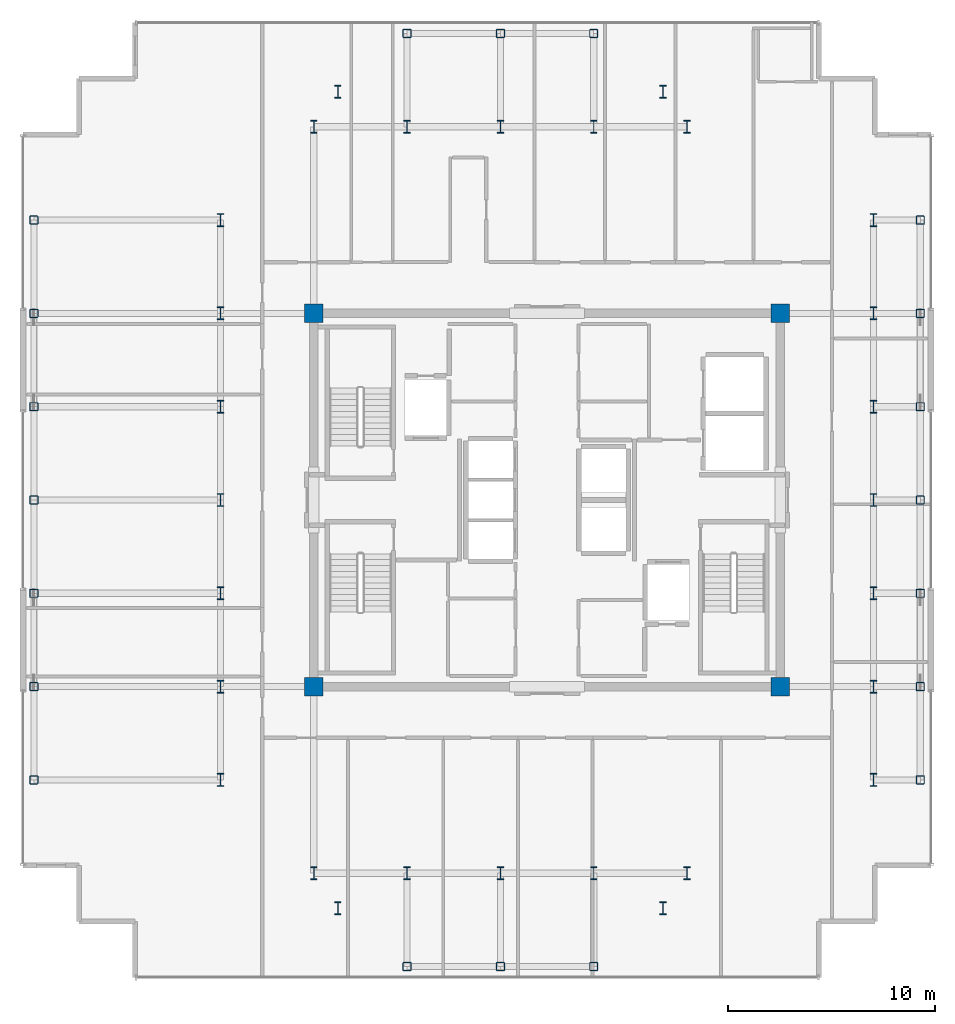
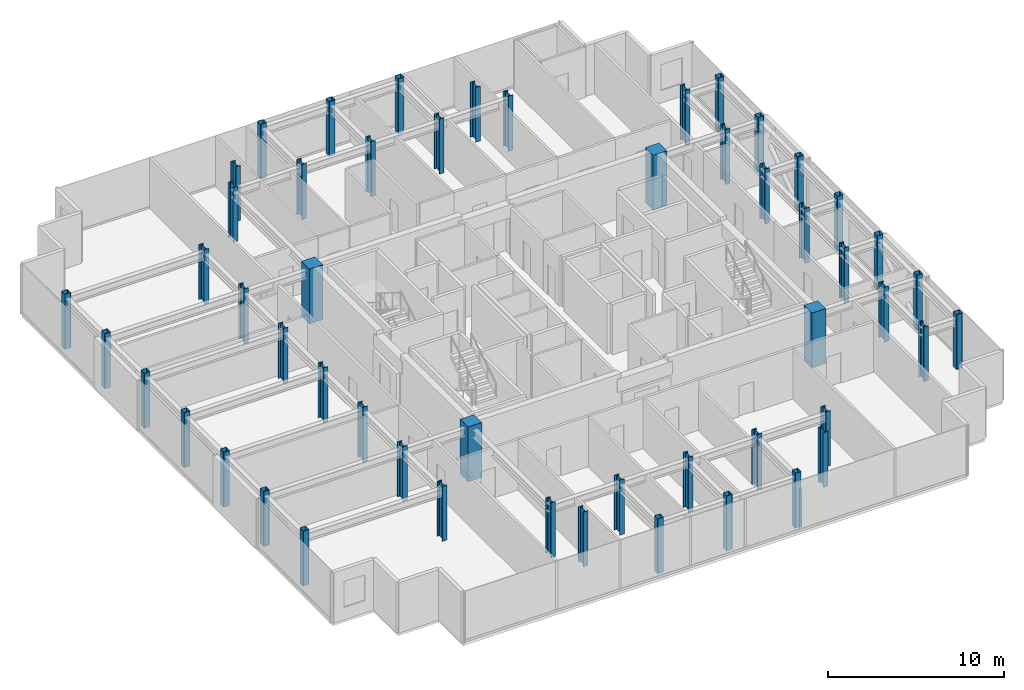
# One storey, part 1 of 16: 52 columns.
"""IFC4 building model written with IfcOpenShell, lengths in metres."""

import ifcopenshell
import ifcopenshell.guid

model = None  # the IFC model being written
_history = None  # IfcOwnerHistory: only IFC2X3 demands one
_inside = {}  # id of a spatial element -> (the spatial element, [elements in it])
_under = {}  # id of a project, library or spatial element -> (it, [spatial elements below it])
_declared = {}  # id of a project -> (the project, [libraries it declares])
_typed = {}  # id of a type object -> (the type object, [elements of that type])
_made_of = {}  # id of a material, layer set ... -> (it, [elements and type objects made of it])


def new_model(schema):
    """Start an empty IFC model of exactly this schema.

    Asked for "IFC4X3", IfcOpenShell would pick the latest addendum, in which some entities
    have other attributes; the version numbers below select the first issue.
    IFC2X3 requires an IfcOwnerHistory on every rooted entity: one is made here for all.
    """
    global model, _history
    if schema == "IFC4X3":
        model = ifcopenshell.file(schema_version=(4, 3, 0, 0))
    else:
        model = ifcopenshell.file(schema=schema)
    _inside.clear()
    _under.clear()
    _declared.clear()
    _typed.clear()
    _made_of.clear()
    _history = None
    if model.schema == "IFC2X3":
        org = make("IfcOrganization", Name="unknown")
        user = make(
            "IfcPersonAndOrganization",
            ThePerson=make("IfcPerson", FamilyName="unknown"),
            TheOrganization=org,
        )
        app = make(
            "IfcApplication",
            ApplicationDeveloper=org,
            Version="unknown",
            ApplicationFullName="unknown",
            ApplicationIdentifier="unknown",
        )
        _history = make(
            "IfcOwnerHistory",
            OwningUser=user,
            OwningApplication=app,
            ChangeAction="ADDED",
            CreationDate=0,
        )
    return model


def make(cls, **values):
    """One entity of the class cls with the attributes given. An attribute that is None is left unset."""
    return model.create_entity(
        cls, **{name: value for name, value in values.items() if value is not None}
    )


def rooted(cls, **values):
    """An entity with a GlobalId (a new one), such as an element, a storey or a relation."""
    return make(cls, GlobalId=ifcopenshell.guid.new(), OwnerHistory=_history, **values)


def si_unit(unit_type, name, prefix=None):
    """IfcSIUnit, for example si_unit("LENGTHUNIT", "METRE", prefix="MILLI")."""
    return make("IfcSIUnit", UnitType=unit_type, Prefix=prefix, Name=name)


def assignment(units):
    """IfcUnitAssignment: the units of a project."""
    return None if units is None else make("IfcUnitAssignment", Units=units)


def point(xyz):
    """IfcCartesianPoint."""
    return None if xyz is None else make("IfcCartesianPoint", Coordinates=xyz)


def direction(xyz):
    """IfcDirection."""
    return None if xyz is None else make("IfcDirection", DirectionRatios=xyz)


def frame(location, z_axis=None, x_axis=None):
    """IfcAxis2Placement3D, a coordinate frame: its origin and axes. An axis left out is left unset."""
    return make(
        "IfcAxis2Placement3D",
        Location=point(location),
        Axis=direction(z_axis),
        RefDirection=direction(x_axis),
    )


def frame_2d(location, x_axis=None):
    """IfcAxis2Placement2D, a coordinate frame in the plane: its origin and x axis."""
    return make(
        "IfcAxis2Placement2D", Location=point(location), RefDirection=direction(x_axis)
    )


def origin():
    """The frame at (0, 0, 0) with its axes left unset."""
    return frame((0.0, 0.0, 0.0))


def origin_2d():
    """The frame at (0, 0) in the plane with its x axis left unset."""
    return frame_2d((0.0, 0.0))


def place(relative_to, where):
    """IfcLocalPlacement: puts the frame where relative to a parent placement (None: the world)."""
    return make(
        "IfcLocalPlacement", PlacementRelTo=relative_to, RelativePlacement=where
    )


def context(
    kind, dimensions, precision=None, world=None, true_north=None, identifier=None
):
    """IfcGeometricRepresentationContext, for example the 3D "Model" context."""
    return make(
        "IfcGeometricRepresentationContext",
        ContextIdentifier=identifier,
        ContextType=kind,
        CoordinateSpaceDimension=dimensions,
        Precision=precision,
        WorldCoordinateSystem=world,
        TrueNorth=true_north,
    )


def subcontext(parent, identifier, kind, view, scale=None):
    """IfcGeometricRepresentationSubContext, for example "Body" below "Model"."""
    return make(
        "IfcGeometricRepresentationSubContext",
        ContextIdentifier=identifier,
        ContextType=kind,
        ParentContext=parent,
        TargetScale=scale,
        TargetView=view,
    )


def project(units=None, contexts=None):
    """IfcProject with its units and contexts."""
    return rooted(
        "IfcProject",
        Name="project",
        RepresentationContexts=contexts,
        UnitsInContext=assignment(units),
    )


def spatial(cls, under=None, at=None, **own):
    """A site, building, storey or space (cls), placed at a placement, below another one or the project."""
    s = rooted(cls, ObjectPlacement=at, **own)
    if under is not None:
        _under.setdefault(under.id(), (under, []))[1].append(s)
    return s


def profile(cls, at=None, kind="AREA", **sizes):
    """A parametric profile (cls). Its sizes go by their IFC names, for example OverallWidth=200.0."""
    return make(cls, ProfileType=kind, Position=at, **sizes)


def rectangle(**sizes):
    """IfcRectangleProfileDef."""
    return profile("IfcRectangleProfileDef", **sizes)


def hollow_rectangle(**sizes):
    """IfcRectangleHollowProfileDef."""
    return profile("IfcRectangleHollowProfileDef", **sizes)


def i_section(**sizes):
    """IfcIShapeProfileDef."""
    return profile("IfcIShapeProfileDef", **sizes)


def extrude(swept, where, along, depth):
    """IfcExtrudedAreaSolid: the profile swept, set in the frame where, extruded along a direction by depth."""
    return make(
        "IfcExtrudedAreaSolid",
        SweptArea=swept,
        Position=where,
        ExtrudedDirection=direction(along),
        Depth=depth,
    )


def shape(context_of_items, identifier, shape_type, items):
    """IfcShapeRepresentation: the items that make up one representation, for example the "Body"."""
    return make(
        "IfcShapeRepresentation",
        ContextOfItems=context_of_items,
        RepresentationIdentifier=identifier,
        RepresentationType=shape_type,
        Items=items,
    )


def source(mapping_origin, context_of_items, identifier, shape_type, items):
    """IfcRepresentationMap: a shape defined once, which mapped items show again and again."""
    return make(
        "IfcRepresentationMap",
        MappingOrigin=mapping_origin,
        MappedRepresentation=shape(context_of_items, identifier, shape_type, items),
    )


def transform(
    local_origin,
    x_axis=None,
    y_axis=None,
    z_axis=None,
    scale=None,
    scale2=None,
    scale3=None,
    uniform=True,
):
    """IfcCartesianTransformationOperator3D, or its non-uniform kind. x_axis, y_axis, z_axis: its Axis1, 2, 3."""
    if uniform:
        return make(
            "IfcCartesianTransformationOperator3D",
            Axis1=direction(x_axis),
            Axis2=direction(y_axis),
            LocalOrigin=point(local_origin),
            Scale=scale,
            Axis3=direction(z_axis),
        )
    return make(
        "IfcCartesianTransformationOperator3DnonUniform",
        Axis1=direction(x_axis),
        Axis2=direction(y_axis),
        LocalOrigin=point(local_origin),
        Scale=scale,
        Axis3=direction(z_axis),
        Scale2=scale2,
        Scale3=scale3,
    )


def mapped(mapping_source, mapping_target):
    """IfcMappedItem: shows the shape of a source again, moved by a transform."""
    return make(
        "IfcMappedItem", MappingSource=mapping_source, MappingTarget=mapping_target
    )


def material(Name=None, Category=None):
    """IfcMaterial."""
    return make("IfcMaterial", Name=Name, Category=Category)


def material_profile(
    of_material, cross_section, Name=None, Category=None, Priority=None
):
    """IfcMaterialProfile: a cross section and its material."""
    return make(
        "IfcMaterialProfile",
        Name=Name,
        Material=of_material,
        Profile=cross_section,
        Priority=Priority,
        Category=Category,
    )


def profile_set(profiles, Name=None, composite=None):
    """IfcMaterialProfileSet."""
    return make(
        "IfcMaterialProfileSet",
        Name=Name,
        MaterialProfiles=profiles,
        CompositeProfile=composite,
    )


def made_of(thing, what):
    """Note that an element or type object is made of a material, layer set ...; save() writes the relation."""
    if what is not None:
        _made_of.setdefault(what.id(), (what, []))[1].append(thing)
    return thing


def type_object(cls, material=None, **own):
    """A type object (cls), such as IfcWallType, which elements share."""
    return made_of(rooted(cls, **own), material)


def element(
    cls,
    number,
    at=None,
    inside=None,
    cuts=None,
    type_object=None,
    material=None,
    context=None,
    identifier="Body",
    shape_type=None,
    held_by="IfcProductDefinitionShape",
    body=None,
    shapes=None,
    **own,
):
    """One element of the class cls, such as IfcWall. Its Tag is "e" and its number.

    at: its placement. inside: the storey or other place that contains it. cuts: it is an
    opening in that element (IfcRelVoidsElement). A single representation is given by context,
    identifier, shape_type and body (its items); several are given by shapes. held_by: the class
    of the entity that holds the representations. save() writes the other relations.
    """
    e = rooted(cls, Tag="e%d" % number, ObjectPlacement=at, **own)
    if body is not None:
        shapes = [shape(context, identifier, shape_type, body)]
    if shapes is not None:
        e.Representation = make(held_by, Representations=shapes)
    if inside is not None:
        _inside.setdefault(inside.id(), (inside, []))[1].append(e)
    if cuts is not None:
        rooted(
            "IfcRelVoidsElement", RelatingBuildingElement=cuts, RelatedOpeningElement=e
        )
    if type_object is not None:
        _typed.setdefault(type_object.id(), (type_object, []))[1].append(e)
    return made_of(e, material)


def aggregate(whole, parts):
    """IfcRelAggregates: a whole, such as a stair, and the parts it consists of."""
    return rooted("IfcRelAggregates", RelatingObject=whole, RelatedObjects=parts)


def save(model, path):
    """Write the relations noted so far, then the file.

    IfcRelAggregates (storeys below a building ...), IfcRelContainedInSpatialStructure (elements
    in a storey), IfcRelDefinesByType, IfcRelAssociatesMaterial and IfcRelDeclares: one each for
    every whole, place, type object, material and project.
    """
    for whole, parts in _under.values():
        aggregate(whole, parts)
    for where, things in _inside.values():
        rooted(
            "IfcRelContainedInSpatialStructure",
            RelatedElements=things,
            RelatingStructure=where,
        )
    for kind, things in _typed.values():
        rooted("IfcRelDefinesByType", RelatedObjects=things, RelatingType=kind)
    for what, things in _made_of.values():
        rooted("IfcRelAssociatesMaterial", RelatedObjects=things, RelatingMaterial=what)
    for by, libraries in _declared.values():
        rooted("IfcRelDeclares", RelatingContext=by, RelatedDefinitions=libraries)
    model.write(path)


model = new_model("IFC4")

# Units and contexts
model_context = context("Model", 3, precision=1e-05, world=origin(), true_north=direction((0.0, 1.0)))
body_context = subcontext(model_context, "Body", "Model", "MODEL_VIEW")
ifc_project = project(units=[si_unit("LENGTHUNIT", "METRE"), si_unit("AREAUNIT", "SQUARE_METRE"), si_unit("VOLUMEUNIT", "CUBIC_METRE"), si_unit("PLANEANGLEUNIT", "RADIAN"), si_unit("MASSUNIT", "GRAM", prefix="KILO")], contexts=[model_context])

# Site, building, storey
site_placement = place(None, origin())
site = spatial("IfcSite", under=ifc_project, at=site_placement, CompositionType="ELEMENT")
building_placement = place(site_placement, origin())
building = spatial("IfcBuilding", under=site, at=building_placement, Name="Nefas-Gora Pilgrimage Tower", CompositionType="ELEMENT")
storey_placement = place(building_placement, frame((0.0, 0.0, 345.199951171875)))
storey = spatial("IfcBuildingStorey", under=building, at=storey_placement, Name="L87", CompositionType="ELEMENT", Elevation=345.199951171875)

# Columns
ifc_material_1 = material(Name="Steel S355", Category="steel")
ifc_material_profile_1 = material_profile(ifc_material_1, i_section(OverallWidth=0.304931640625, OverallDepth=0.6201171875, WebThickness=0.02099609375, FlangeThickness=0.0400390625, FilletRadius=0.027099609375, at=origin_2d()), Name="HEM 600")
ifc_profile_set_1 = profile_set([ifc_material_profile_1], Name="Steel S355")
column_type_1 = type_object("IfcColumnType", Name="COL-WEB-HEM600", PredefinedType="COLUMN", material=ifc_profile_set_1)
shared_shape_1 = source(origin(), body_context, "Body", "SweptSolid", [
    extrude(i_section(OverallWidth=0.304931640625, OverallDepth=0.6201171875, WebThickness=0.02099609375, FlangeThickness=0.0400390625, FilletRadius=0.027099609375, at=origin_2d()), origin(), (0.0, 0.0, 1.0), 3.800048828125),
])
for number, where, z_axis, x_axis, name in (
    (1, (-15.75, -13.5, 0.0), (0.0, 0.0, 1.0), (1.0, 0.0, 0.0), "L87 Tower Column CW-03.8"),
    (2, (-15.75, -9.0, 0.0), (0.0, 0.0, 1.0), (1.0, 0.0, 0.0), "L87 Tower Column CW-03.9"),
    (3, (-15.75, -4.5, 0.0), (0.0, 0.0, 1.0), (1.0, 0.0, 0.0), "L87 Tower Column CW-03.10"),
    (4, (-15.75, 0.0, 0.0), (0.0, 0.0, 1.0), (1.0, 0.0, 0.0), "L87 Tower Column CW-03.11"),
    (5, (-15.75, 4.5, 0.0), (0.0, 0.0, 1.0), (1.0, 0.0, 0.0), "L87 Tower Column CW-03.12"),
    (6, (-15.75, 9.0, 0.0), (0.0, 0.0, 1.0), (1.0, 0.0, 0.0), "L87 Tower Column CW-03.13"),
    (7, (-15.75, 13.5, 0.0), (0.0, 0.0, 1.0), (1.0, 0.0, 0.0), "L87 Tower Column CW-03.14"),
    (8, (-11.25, -18.0, 0.0), (0.0, 0.0, 1.0), (1.0, 0.0, 0.0), "L87 Tower Column CW-03.15"),
    (9, (-11.25, 18.0, 0.0), (0.0, 0.0, 1.0), (1.0, 0.0, 0.0), "L87 Tower Column CW-03.18"),
    (10, (-10.091064453125, -19.696044921875, 0.0), (0.0, 0.0, 1.0), (1.0, 0.0, 0.0), "L87 Tower Column CW-03.19"),
    (11, (-10.091064453125, 19.696044921875, 0.0), (0.0, 0.0, 1.0), (1.0, 0.0, 0.0), "L87 Tower Column CW-03.20"),
    (12, (-6.75, -18.0, 0.0), (0.0, 0.0, 1.0), (1.0, 0.0, 0.0), "L87 Tower Column CW-03.22"),
    (13, (-6.75, 18.0, 0.0), (0.0, 0.0, 1.0), (1.0, 0.0, 0.0), "L87 Tower Column CW-03.23"),
    (14, (-2.25, -18.0, 0.0), (0.0, 0.0, 1.0), (1.0, 0.0, 0.0), "L87 Tower Column CW-03.26"),
    (15, (-2.25, 18.0, 0.0), (0.0, 0.0, 1.0), (1.0, 0.0, 0.0), "L87 Tower Column CW-03.27"),
    (16, (2.25, -18.0, 0.0), (0.0, 0.0, 1.0), (1.0, 0.0, 0.0), "L87 Tower Column CW-03.30"),
    (17, (2.25, 18.0, 0.0), (0.0, 0.0, 1.0), (1.0, 0.0, 0.0), "L87 Tower Column CW-03.31"),
    (18, (5.591064453125, -19.696044921875, 0.0), (0.0, 0.0, 1.0), (1.0, 0.0, 0.0), "L87 Tower Column CW-03.33"),
    (19, (5.591064453125, 19.696044921875, 0.0), (0.0, 0.0, 1.0), (1.0, 0.0, 0.0), "L87 Tower Column CW-03.34"),
    (20, (6.75, -18.0, 0.0), (0.0, 0.0, 1.0), (1.0, 0.0, 0.0), "L87 Tower Column CW-03.35"),
    (21, (6.75, 18.0, 0.0), (0.0, 0.0, 1.0), (1.0, 0.0, 0.0), "L87 Tower Column CW-03.36"),
    (22, (15.75, -13.5, 0.0), (0.0, 0.0, 1.0), (1.0, 0.0, 0.0), "L87 Tower Column CW-03.39"),
    (23, (15.75, -9.0, 0.0), (0.0, 0.0, 1.0), (1.0, 0.0, 0.0), "L87 Tower Column CW-03.40"),
    (24, (15.75, -4.5, 0.0), (0.0, 0.0, 1.0), (1.0, 0.0, 0.0), "L87 Tower Column CW-03.41"),
    (25, (15.75, 0.0, 0.0), (0.0, 0.0, 1.0), (1.0, 0.0, 0.0), "L87 Tower Column CW-03.42"),
    (26, (15.75, 4.5, 0.0), (0.0, 0.0, 1.0), (1.0, 0.0, 0.0), "L87 Tower Column CW-03.43"),
    (27, (15.75, 9.0, 0.0), (0.0, 0.0, 1.0), (1.0, 0.0, 0.0), "L87 Tower Column CW-03.44"),
    (28, (15.75, 13.5, 0.0), (0.0, 0.0, 1.0), (1.0, 0.0, 0.0), "L87 Tower Column CW-03.45"),
):
    element("IfcColumn", number, at=place(storey_placement, frame(where, z_axis=z_axis, x_axis=x_axis)), inside=storey, type_object=column_type_1, Name=name, PredefinedType="COLUMN", context=body_context, shape_type="MappedRepresentation", body=[
        mapped(shared_shape_1, transform((0.0, 0.0, 0.0), x_axis=(1.0, 0.0, 0.0), y_axis=(0.0, 1.0, 0.0), z_axis=(0.0, 0.0, 1.0), scale=1.0)),
    ])
ifc_material_2 = material(Name="Concrete C50/60", Category="concrete")
ifc_material_profile_2 = material_profile(ifc_material_2, rectangle(XDim=0.89990234375, YDim=0.89990234375, at=origin_2d()), Name="RC 900x900")
ifc_profile_set_2 = profile_set([ifc_material_profile_2], Name="Concrete C50/60")
column_type_2 = type_object("IfcColumnType", Name="COL-RC-900", PredefinedType="COLUMN", material=ifc_profile_set_2)
shared_shape_2 = source(origin(), body_context, "Body", "SweptSolid", [
    extrude(rectangle(XDim=0.89990234375, YDim=0.89990234375, at=origin_2d()), origin(), (0.0, 0.0, 1.0), 3.800048828125),
])
for number, where, z_axis, x_axis, name in (
    (29, (-11.25, -9.0, 0.0), (0.0, 0.0, 1.0), (1.0, 0.0, 0.0), "L87 Tower Column CRC-02.16"),
    (30, (-11.25, 9.0, 0.0), (0.0, 0.0, 1.0), (1.0, 0.0, 0.0), "L87 Tower Column CRC-02.17"),
    (31, (11.25, -9.0, 0.0), (0.0, 0.0, 1.0), (1.0, 0.0, 0.0), "L87 Tower Column CRC-02.37"),
    (32, (11.25, 9.0, 0.0), (0.0, 0.0, 1.0), (1.0, 0.0, 0.0), "L87 Tower Column CRC-02.38"),
):
    element("IfcColumn", number, at=place(storey_placement, frame(where, z_axis=z_axis, x_axis=x_axis)), inside=storey, type_object=column_type_2, Name=name, PredefinedType="COLUMN", context=body_context, shape_type="MappedRepresentation", body=[
        mapped(shared_shape_2, transform((0.0, 0.0, 0.0), x_axis=(1.0, 0.0, 0.0), y_axis=(0.0, 1.0, 0.0), z_axis=(0.0, 0.0, 1.0), scale=1.0)),
    ])
ifc_material_profile_3 = material_profile(ifc_material_1, hollow_rectangle(XDim=0.39990234375, YDim=0.39990234375, WallThickness=0.02001953125, InnerFilletRadius=0.02001953125, OuterFilletRadius=0.0400390625, at=origin_2d()), Name="SHS 400x400x20")
ifc_profile_set_3 = profile_set([ifc_material_profile_3], Name="Steel S355")
column_type_3 = type_object("IfcColumnType", Name="COL-TUBE-400", PredefinedType="COLUMN", material=ifc_profile_set_3)
shared_shape_3 = source(origin(), body_context, "Body", "SweptSolid", [
    extrude(hollow_rectangle(XDim=0.39990234375, YDim=0.39990234375, WallThickness=0.02001953125, InnerFilletRadius=0.02001953125, OuterFilletRadius=0.0400390625, at=origin_2d()), origin(), (0.0, 0.0, 1.0), 3.800048828125),
])
for number, where, z_axis, x_axis, name in (
    (33, (-24.75, -13.5, 0.0), (0.0, 0.0, 1.0), (1.0, 0.0, 0.0), "L87 Tower Column C-Z5.1"),
    (34, (-24.75, -9.0, 0.0), (0.0, 0.0, 1.0), (1.0, 0.0, 0.0), "L87 Tower Column C-Z5.2"),
    (35, (-24.75, -4.5, 0.0), (0.0, 0.0, 1.0), (1.0, 0.0, 0.0), "L87 Tower Column C-Z5.3"),
    (36, (-24.75, 0.0, 0.0), (0.0, 0.0, 1.0), (1.0, 0.0, 0.0), "L87 Tower Column C-Z5.4"),
    (37, (-24.75, 4.5, 0.0), (0.0, 0.0, 1.0), (1.0, 0.0, 0.0), "L87 Tower Column C-Z5.5"),
    (38, (-24.75, 9.0, 0.0), (0.0, 0.0, 1.0), (1.0, 0.0, 0.0), "L87 Tower Column C-Z5.6"),
    (39, (-24.75, 13.5, 0.0), (0.0, 0.0, 1.0), (1.0, 0.0, 0.0), "L87 Tower Column C-Z5.7"),
    (40, (-6.75, -22.5, 0.0), (0.0, 0.0, 1.0), (1.0, 0.0, 0.0), "L87 Tower Column C-Z5.21"),
    (41, (-6.75, 22.5, 0.0), (0.0, 0.0, 1.0), (1.0, 0.0, 0.0), "L87 Tower Column C-Z5.24"),
    (42, (-2.25, -22.5, 0.0), (0.0, 0.0, 1.0), (1.0, 0.0, 0.0), "L87 Tower Column C-Z5.25"),
    (43, (-2.25, 22.5, 0.0), (0.0, 0.0, 1.0), (1.0, 0.0, 0.0), "L87 Tower Column C-Z5.28"),
    (44, (2.25, -22.5, 0.0), (0.0, 0.0, 1.0), (1.0, 0.0, 0.0), "L87 Tower Column C-Z5.29"),
    (45, (2.25, 22.5, 0.0), (0.0, 0.0, 1.0), (1.0, 0.0, 0.0), "L87 Tower Column C-Z5.32"),
    (46, (18.0, -13.5, 0.0), (0.0, 0.0, 1.0), (1.0, 0.0, 0.0), "L87 Tower Column C-Z5.46"),
    (47, (18.0, -9.0, 0.0), (0.0, 0.0, 1.0), (1.0, 0.0, 0.0), "L87 Tower Column C-Z5.47"),
    (48, (18.0, -4.5, 0.0), (0.0, 0.0, 1.0), (1.0, 0.0, 0.0), "L87 Tower Column C-Z5.48"),
    (49, (18.0, 0.0, 0.0), (0.0, 0.0, 1.0), (1.0, 0.0, 0.0), "L87 Tower Column C-Z5.49"),
    (50, (18.0, 4.5, 0.0), (0.0, 0.0, 1.0), (1.0, 0.0, 0.0), "L87 Tower Column C-Z5.50"),
    (51, (18.0, 9.0, 0.0), (0.0, 0.0, 1.0), (1.0, 0.0, 0.0), "L87 Tower Column C-Z5.51"),
    (52, (18.0, 13.5, 0.0), (0.0, 0.0, 1.0), (1.0, 0.0, 0.0), "L87 Tower Column C-Z5.52"),
):
    element("IfcColumn", number, at=place(storey_placement, frame(where, z_axis=z_axis, x_axis=x_axis)), inside=storey, type_object=column_type_3, Name=name, PredefinedType="COLUMN", context=body_context, shape_type="MappedRepresentation", body=[
        mapped(shared_shape_3, transform((0.0, 0.0, 0.0), x_axis=(1.0, 0.0, 0.0), y_axis=(0.0, 1.0, 0.0), z_axis=(0.0, 0.0, 1.0), scale=1.0)),
    ])

save(model, "model.ifc")
